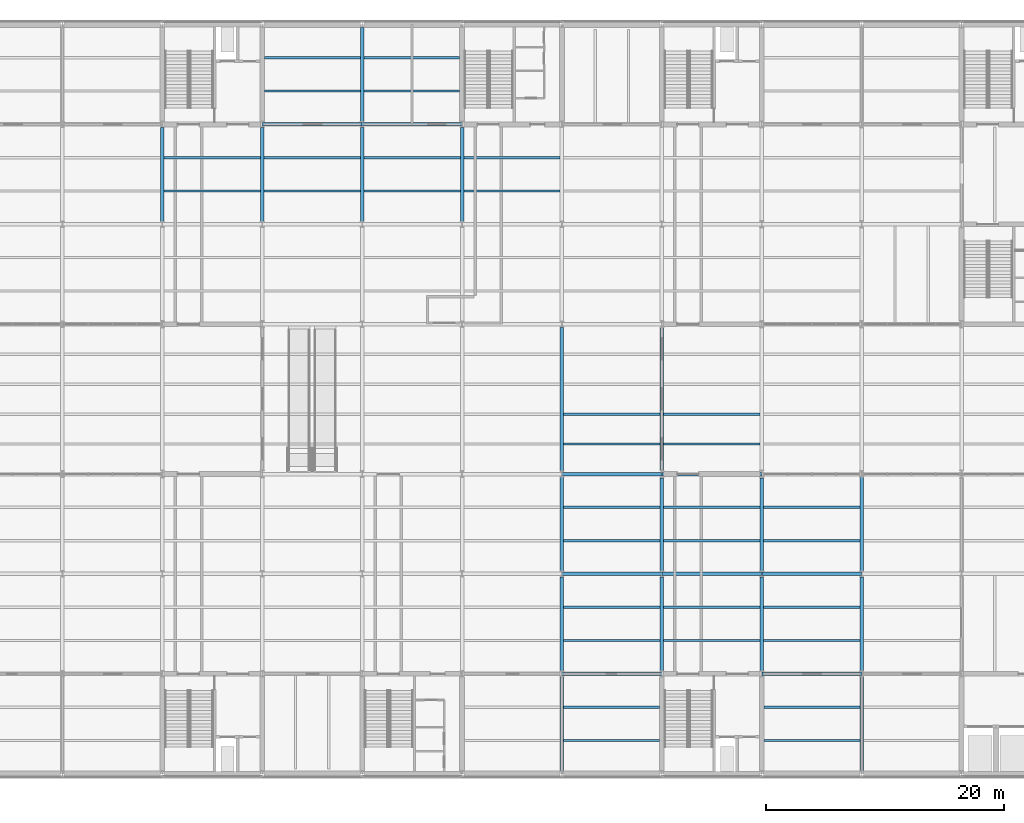
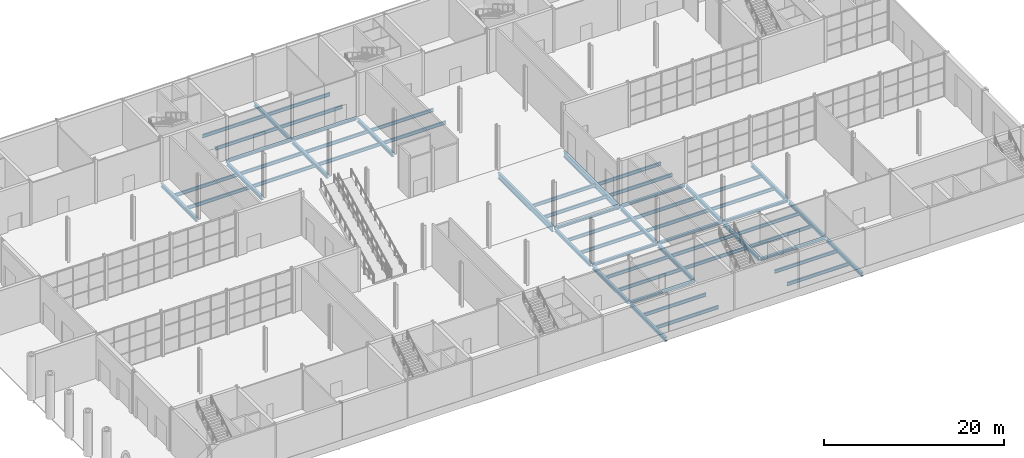
# One storey, part 19 of 55: 58 beams.
"""IFC4 building model written with IfcOpenShell, lengths in metres."""

from ifc_helpers import new_model, si_unit, direction, frame, origin, origin_2d, place, context, subcontext, project, spatial, i_section, extrude, material, material_profile, profile_set, type_object, element, save


model = new_model("IFC4")

# Units and contexts
model_context = context("Model", 3, precision=1e-05, world=origin(), true_north=direction((0.0, 1.0)))
body_context = subcontext(model_context, "Body", "Model", "MODEL_VIEW")
ifc_project = project(units=[si_unit("LENGTHUNIT", "METRE"), si_unit("AREAUNIT", "SQUARE_METRE"), si_unit("VOLUMEUNIT", "CUBIC_METRE"), si_unit("PLANEANGLEUNIT", "RADIAN"), si_unit("MASSUNIT", "GRAM", prefix="KILO")], contexts=[model_context])

# Site, building, storey
site_placement = place(None, origin())
site = spatial("IfcSite", under=ifc_project, at=site_placement, CompositionType="ELEMENT")
building_placement = place(site_placement, origin())
building = spatial("IfcBuilding", under=site, at=building_placement, Name="Galleria Vessillo Department Store", CompositionType="ELEMENT")
storey_placement = place(building_placement, origin())
storey = spatial("IfcBuildingStorey", under=building, at=storey_placement, Name="L00", CompositionType="ELEMENT", Elevation=0.0)

# Beams
ifc_material_1 = material(Name="Steel S355 J2", Category="steel")
ifc_material_profile_1 = material_profile(ifc_material_1, i_section(OverallWidth=0.300048828125, OverallDepth=0.489990234375, WebThickness=0.011962890625, FlangeThickness=0.02294921875, FilletRadius=0.027099609375, at=origin_2d()), Name="HEA 500")
ifc_profile_set_1 = profile_set([ifc_material_profile_1], Name="Steel S355 J2")
beam_type_1 = type_object("IfcBeamType", Name="Floor girder HEA 500", PredefinedType="BEAM", material=ifc_profile_set_1)
for number, where, z_axis, x_axis, name in (
    (1, (33.60009765625, 46.4501953125, -0.39501953125), (0.0, 1.0, 0.0), (-1.0, 0.0, 0.0), "S-BM-L00-GI-y33600-46450"),
    (2, (42.0, 46.4501953125, -0.39501953125), (0.0, 1.0, 0.0), (-1.0, 0.0, 0.0), "S-BM-L00-GI-y42000-46450"),
    (3, (50.39990234375, 46.4501953125, -0.39501953125), (0.0, 1.0, 0.0), (-1.0, 0.0, 0.0), "S-BM-L00-GI-y50400-46450"),
    (4, (50.39990234375, 54.85009765625, -0.39501953125), (0.0, 1.0, 0.0), (-1.0, 0.0, 0.0), "S-BM-L00-GI-y50400-54850"),
    (5, (58.800048828125, 46.4501953125, -0.39501953125), (0.0, 1.0, 0.0), (-1.0, 0.0, 0.0), "S-BM-L00-GI-y58800-46450"),
    (6, (67.199951171875, 0.250244140625, -0.39501953125), (0.0, 1.0, 0.0), (-1.0, 0.0, 0.0), "S-BM-L00-GI-y67200-250"),
    (7, (67.199951171875, 8.650146484375, -0.39501953125), (0.0, 1.0, 0.0), (-1.0, 0.0, 0.0), "S-BM-L00-GI-y67200-8650"),
):
    element("IfcBeam", number, at=place(storey_placement, frame(where, z_axis=z_axis, x_axis=x_axis)), inside=storey, type_object=beam_type_1, Name=name, PredefinedType="BEAM", context=body_context, shape_type="SweptSolid", body=[
        extrude(i_section(OverallWidth=0.300048828125, OverallDepth=0.489990234375, WebThickness=0.011962890625, FlangeThickness=0.02294921875, FilletRadius=0.027099609375, at=origin_2d()), origin(), (0.0, 0.0, 1.0), 7.899658203125),
    ])
beam_1_placement = place(storey_placement, frame((67.199951171875, 17.050048828125, -0.39501953125), z_axis=(0.0, 1.0, 0.0), x_axis=(-1.0, 0.0, 0.0)))
element("IfcBeam", 8, at=beam_1_placement, inside=storey, type_object=beam_type_1, Name="S-BM-L00-GI-y67200-17050", PredefinedType="BEAM", context=body_context, shape_type="SweptSolid", body=[
    extrude(i_section(OverallWidth=0.300048828125, OverallDepth=0.489990234375, WebThickness=0.011962890625, FlangeThickness=0.02294921875, FilletRadius=0.027099609375, at=origin_2d()), origin(), (0.0, 0.0, 1.0), 7.887939453125),
])
beam_2_placement = place(storey_placement, frame((75.60009765625, 8.650146484375, -0.39501953125), z_axis=(0.0, 1.0, 0.0), x_axis=(-1.0, 0.0, 0.0)))
element("IfcBeam", 9, at=beam_2_placement, inside=storey, type_object=beam_type_1, Name="S-BM-L00-GI-y75600-8650", PredefinedType="BEAM", context=body_context, shape_type="SweptSolid", body=[
    extrude(i_section(OverallWidth=0.300048828125, OverallDepth=0.489990234375, WebThickness=0.011962890625, FlangeThickness=0.02294921875, FilletRadius=0.027099609375, at=origin_2d()), origin(), (0.0, 0.0, 1.0), 7.899658203125),
])
beam_3_placement = place(storey_placement, frame((75.60009765625, 17.050048828125, -0.39501953125), z_axis=(0.0, 1.0, 0.0), x_axis=(-1.0, 0.0, 0.0)))
element("IfcBeam", 10, at=beam_3_placement, inside=storey, type_object=beam_type_1, Name="S-BM-L00-GI-y75600-17050", PredefinedType="BEAM", context=body_context, shape_type="SweptSolid", body=[
    extrude(i_section(OverallWidth=0.300048828125, OverallDepth=0.489990234375, WebThickness=0.011962890625, FlangeThickness=0.02294921875, FilletRadius=0.027099609375, at=origin_2d()), origin(), (0.0, 0.0, 1.0), 7.83984375),
])
beam_4_placement = place(storey_placement, frame((84.0, 8.650146484375, -0.39501953125), z_axis=(0.0, 1.0, 0.0), x_axis=(-1.0, 0.0, 0.0)))
element("IfcBeam", 11, at=beam_4_placement, inside=storey, type_object=beam_type_1, Name="S-BM-L00-GI-y84000-8650", PredefinedType="BEAM", context=body_context, shape_type="SweptSolid", body=[
    extrude(i_section(OverallWidth=0.300048828125, OverallDepth=0.489990234375, WebThickness=0.011962890625, FlangeThickness=0.02294921875, FilletRadius=0.027099609375, at=origin_2d()), origin(), (0.0, 0.0, 1.0), 7.899658203125),
])
beam_5_placement = place(storey_placement, frame((84.0, 17.050048828125, -0.39501953125), z_axis=(0.0, 1.0, 0.0), x_axis=(-1.0, 0.0, 0.0)))
element("IfcBeam", 12, at=beam_5_placement, inside=storey, type_object=beam_type_1, Name="S-BM-L00-GI-y84000-17050", PredefinedType="BEAM", context=body_context, shape_type="SweptSolid", body=[
    extrude(i_section(OverallWidth=0.300048828125, OverallDepth=0.489990234375, WebThickness=0.011962890625, FlangeThickness=0.02294921875, FilletRadius=0.027099609375, at=origin_2d()), origin(), (0.0, 0.0, 1.0), 7.83984375),
])
for number, where, z_axis, x_axis, name in (
    (13, (92.39990234375, 0.250244140625, -0.39501953125), (0.0, 1.0, 0.0), (-1.0, 0.0, 0.0), "S-BM-L00-GI-y92400-250"),
    (14, (92.39990234375, 8.650146484375, -0.39501953125), (0.0, 1.0, 0.0), (-1.0, 0.0, 0.0), "S-BM-L00-GI-y92400-8650"),
):
    element("IfcBeam", number, at=place(storey_placement, frame(where, z_axis=z_axis, x_axis=x_axis)), inside=storey, type_object=beam_type_1, Name=name, PredefinedType="BEAM", context=body_context, shape_type="SweptSolid", body=[
        extrude(i_section(OverallWidth=0.300048828125, OverallDepth=0.489990234375, WebThickness=0.011962890625, FlangeThickness=0.02294921875, FilletRadius=0.027099609375, at=origin_2d()), origin(), (0.0, 0.0, 1.0), 7.899658203125),
    ])
beam_6_placement = place(storey_placement, frame((92.39990234375, 17.050048828125, -0.39501953125), z_axis=(0.0, 1.0, 0.0), x_axis=(-1.0, 0.0, 0.0)))
element("IfcBeam", 15, at=beam_6_placement, inside=storey, type_object=beam_type_1, Name="S-BM-L00-GI-y92400-17050", PredefinedType="BEAM", context=body_context, shape_type="SweptSolid", body=[
    extrude(i_section(OverallWidth=0.300048828125, OverallDepth=0.489990234375, WebThickness=0.011962890625, FlangeThickness=0.02294921875, FilletRadius=0.027099609375, at=origin_2d()), origin(), (0.0, 0.0, 1.0), 7.887939453125),
])
ifc_material_2 = material(Name="Steel S355 J2", Category="steel")
ifc_material_profile_2 = material_profile(ifc_material_2, i_section(OverallWidth=0.300048828125, OverallDepth=0.7900390625, WebThickness=0.014892578125, FlangeThickness=0.028076171875, FilletRadius=0.030029296875, at=origin_2d()), Name="HEA 800")
ifc_profile_set_2 = profile_set([ifc_material_profile_2], Name="Steel S355 J2")
beam_type_2 = type_object("IfcBeamType", Name="Floor girder HEA 800", PredefinedType="BEAM", material=ifc_profile_set_2)
beam_7_placement = place(storey_placement, frame((67.199951171875, 25.462158203125, -0.64501953125), z_axis=(0.0, 1.0, 0.0), x_axis=(-1.0, 0.0, 0.0)))
element("IfcBeam", 16, at=beam_7_placement, inside=storey, type_object=beam_type_2, Name="S-BM-L00-GI-y67200-25462", PredefinedType="BEAM", context=body_context, shape_type="SweptSolid", body=[
    extrude(i_section(OverallWidth=0.300048828125, OverallDepth=0.7900390625, WebThickness=0.014892578125, FlangeThickness=0.028076171875, FilletRadius=0.030029296875, at=origin_2d()), origin(), (0.0, 0.0, 1.0), 12.07568359375),
])
beam_8_placement = place(storey_placement, frame((75.60009765625, 25.51025390625, -0.64501953125), z_axis=(0.0, 1.0, 0.0), x_axis=(-1.0, 0.0, 0.0)))
element("IfcBeam", 17, at=beam_8_placement, inside=storey, type_object=beam_type_2, Name="S-BM-L00-GI-y75600-25510", PredefinedType="BEAM", context=body_context, shape_type="SweptSolid", body=[
    extrude(i_section(OverallWidth=0.300048828125, OverallDepth=0.7900390625, WebThickness=0.014892578125, FlangeThickness=0.028076171875, FilletRadius=0.030029296875, at=origin_2d()), origin(), (0.0, 0.0, 1.0), 11.9794921875),
])
ifc_material_3 = material(Name="Steel S355 J2", Category="steel")
ifc_material_profile_3 = material_profile(ifc_material_3, i_section(OverallWidth=0.18994140625, OverallDepth=0.449951171875, WebThickness=0.009521484375, FlangeThickness=0.0146484375, FilletRadius=0.02099609375, at=origin_2d()), Name="IPE 450")
ifc_profile_set_3 = profile_set([ifc_material_profile_3], Name="Steel S355 J2")
beam_type_3 = type_object("IfcBeamType", Name="Floor joist IPE 450", PredefinedType="JOIST", material=ifc_profile_set_3)
for number, where, z_axis, x_axis, name in (
    (18, (33.750244140625, 49.0, -0.375), (1.0, 0.0, 0.0), (0.0, 1.0, 0.0), "S-BM-L00-JO-x49000-33750"),
    (19, (33.750244140625, 51.800048828125, -0.375), (1.0, 0.0, 0.0), (0.0, 1.0, 0.0), "S-BM-L00-JO-x51800-33750"),
    (20, (42.150146484375, 49.0, -0.375), (1.0, 0.0, 0.0), (0.0, 1.0, 0.0), "S-BM-L00-JO-x49000-42150"),
    (21, (42.150146484375, 51.800048828125, -0.375), (1.0, 0.0, 0.0), (0.0, 1.0, 0.0), "S-BM-L00-JO-x51800-42150"),
):
    element("IfcBeam", number, at=place(storey_placement, frame(where, z_axis=z_axis, x_axis=x_axis)), inside=storey, type_object=beam_type_3, Name=name, PredefinedType="JOIST", context=body_context, shape_type="SweptSolid", body=[
        extrude(i_section(OverallWidth=0.18994140625, OverallDepth=0.449951171875, WebThickness=0.009521484375, FlangeThickness=0.0146484375, FilletRadius=0.02099609375, at=origin_2d()), origin(), (0.0, 0.0, 1.0), 8.099609375),
    ])
for number, where, z_axis, x_axis, name in (
    (22, (42.2001953125, 57.39990234375, -0.375), (1.0, 0.0, 0.0), (0.0, 1.0, 0.0), "S-BM-L00-JO-x57400-42200"),
    (23, (42.2001953125, 60.199951171875, -0.375), (1.0, 0.0, 0.0), (0.0, 1.0, 0.0), "S-BM-L00-JO-x60200-42200"),
):
    element("IfcBeam", number, at=place(storey_placement, frame(where, z_axis=z_axis, x_axis=x_axis)), inside=storey, type_object=beam_type_3, Name=name, PredefinedType="JOIST", context=body_context, shape_type="SweptSolid", body=[
        extrude(i_section(OverallWidth=0.18994140625, OverallDepth=0.449951171875, WebThickness=0.009521484375, FlangeThickness=0.0146484375, FilletRadius=0.02099609375, at=origin_2d()), origin(), (0.0, 0.0, 1.0), 8.049560546875),
    ])
for number, where, z_axis, x_axis, name in (
    (24, (50.550048828125, 49.0, -0.375), (1.0, 0.0, 0.0), (0.0, 1.0, 0.0), "S-BM-L00-JO-x49000-50550"),
    (25, (50.550048828125, 51.800048828125, -0.375), (1.0, 0.0, 0.0), (0.0, 1.0, 0.0), "S-BM-L00-JO-x51800-50550"),
):
    element("IfcBeam", number, at=place(storey_placement, frame(where, z_axis=z_axis, x_axis=x_axis)), inside=storey, type_object=beam_type_3, Name=name, PredefinedType="JOIST", context=body_context, shape_type="SweptSolid", body=[
        extrude(i_section(OverallWidth=0.18994140625, OverallDepth=0.449951171875, WebThickness=0.009521484375, FlangeThickness=0.0146484375, FilletRadius=0.02099609375, at=origin_2d()), origin(), (0.0, 0.0, 1.0), 8.099853515625),
    ])
for number, where, z_axis, x_axis, name in (
    (26, (50.550048828125, 57.39990234375, -0.375), (1.0, 0.0, 0.0), (0.0, 1.0, 0.0), "S-BM-L00-JO-x57400-50550"),
    (27, (50.550048828125, 60.199951171875, -0.375), (1.0, 0.0, 0.0), (0.0, 1.0, 0.0), "S-BM-L00-JO-x60200-50550"),
):
    element("IfcBeam", number, at=place(storey_placement, frame(where, z_axis=z_axis, x_axis=x_axis)), inside=storey, type_object=beam_type_3, Name=name, PredefinedType="JOIST", context=body_context, shape_type="SweptSolid", body=[
        extrude(i_section(OverallWidth=0.18994140625, OverallDepth=0.449951171875, WebThickness=0.009521484375, FlangeThickness=0.0146484375, FilletRadius=0.02099609375, at=origin_2d()), origin(), (0.0, 0.0, 1.0), 8.0498046875),
    ])
for number, where, z_axis, x_axis, name in (
    (28, (58.9501953125, 49.0, -0.375), (1.0, 0.0, 0.0), (0.0, 1.0, 0.0), "S-BM-L00-JO-x49000-58950"),
    (29, (58.9501953125, 51.800048828125, -0.375), (1.0, 0.0, 0.0), (0.0, 1.0, 0.0), "S-BM-L00-JO-x51800-58950"),
):
    element("IfcBeam", number, at=place(storey_placement, frame(where, z_axis=z_axis, x_axis=x_axis)), inside=storey, type_object=beam_type_3, Name=name, PredefinedType="JOIST", context=body_context, shape_type="SweptSolid", body=[
        extrude(i_section(OverallWidth=0.18994140625, OverallDepth=0.449951171875, WebThickness=0.009521484375, FlangeThickness=0.0146484375, FilletRadius=0.02099609375, at=origin_2d()), origin(), (0.0, 0.0, 1.0), 8.099609375),
    ])
for number, where, z_axis, x_axis, name in (
    (30, (67.35009765625, 2.800048828125, -0.375), (1.0, 0.0, 0.0), (0.0, 1.0, 0.0), "S-BM-L00-JO-x2800-67350"),
    (31, (67.35009765625, 5.60009765625, -0.375), (1.0, 0.0, 0.0), (0.0, 1.0, 0.0), "S-BM-L00-JO-x5600-67350"),
):
    element("IfcBeam", number, at=place(storey_placement, frame(where, z_axis=z_axis, x_axis=x_axis)), inside=storey, type_object=beam_type_3, Name=name, PredefinedType="JOIST", context=body_context, shape_type="SweptSolid", body=[
        extrude(i_section(OverallWidth=0.18994140625, OverallDepth=0.449951171875, WebThickness=0.009521484375, FlangeThickness=0.0146484375, FilletRadius=0.02099609375, at=origin_2d()), origin(), (0.0, 0.0, 1.0), 8.0498046875),
    ])
for number, where, z_axis, x_axis, name in (
    (32, (67.35009765625, 11.199951171875, -0.375), (1.0, 0.0, 0.0), (0.0, 1.0, 0.0), "S-BM-L00-JO-x11200-67350"),
    (33, (67.35009765625, 14.0, -0.375), (1.0, 0.0, 0.0), (0.0, 1.0, 0.0), "S-BM-L00-JO-x14000-67350"),
    (34, (67.35009765625, 19.60009765625, -0.375), (1.0, 0.0, 0.0), (0.0, 1.0, 0.0), "S-BM-L00-JO-x19600-67350"),
    (35, (67.35009765625, 22.39990234375, -0.375), (1.0, 0.0, 0.0), (0.0, 1.0, 0.0), "S-BM-L00-JO-x22400-67350"),
    (36, (67.35009765625, 27.719970703125, -0.47509765625), (1.0, 0.0, 0.0), (0.0, 1.0, 0.0), "S-BM-L00-JO-x27720-67350"),
    (37, (67.35009765625, 30.239990234375, -0.47509765625), (1.0, 0.0, 0.0), (0.0, 1.0, 0.0), "S-BM-L00-JO-x30240-67350"),
):
    element("IfcBeam", number, at=place(storey_placement, frame(where, z_axis=z_axis, x_axis=x_axis)), inside=storey, type_object=beam_type_3, Name=name, PredefinedType="JOIST", context=body_context, shape_type="SweptSolid", body=[
        extrude(i_section(OverallWidth=0.18994140625, OverallDepth=0.449951171875, WebThickness=0.009521484375, FlangeThickness=0.0146484375, FilletRadius=0.02099609375, at=origin_2d()), origin(), (0.0, 0.0, 1.0), 8.099853515625),
    ])
for number, where, z_axis, x_axis, name in (
    (38, (75.750244140625, 11.199951171875, -0.375), (1.0, 0.0, 0.0), (0.0, 1.0, 0.0), "S-BM-L00-JO-x11200-75750"),
    (39, (75.750244140625, 14.0, -0.375), (1.0, 0.0, 0.0), (0.0, 1.0, 0.0), "S-BM-L00-JO-x14000-75750"),
    (40, (75.750244140625, 19.60009765625, -0.375), (1.0, 0.0, 0.0), (0.0, 1.0, 0.0), "S-BM-L00-JO-x19600-75750"),
    (41, (75.750244140625, 22.39990234375, -0.375), (1.0, 0.0, 0.0), (0.0, 1.0, 0.0), "S-BM-L00-JO-x22400-75750"),
    (42, (75.750244140625, 27.719970703125, -0.47509765625), (1.0, 0.0, 0.0), (0.0, 1.0, 0.0), "S-BM-L00-JO-x27720-75750"),
    (43, (75.750244140625, 30.239990234375, -0.47509765625), (1.0, 0.0, 0.0), (0.0, 1.0, 0.0), "S-BM-L00-JO-x30240-75750"),
):
    element("IfcBeam", number, at=place(storey_placement, frame(where, z_axis=z_axis, x_axis=x_axis)), inside=storey, type_object=beam_type_3, Name=name, PredefinedType="JOIST", context=body_context, shape_type="SweptSolid", body=[
        extrude(i_section(OverallWidth=0.18994140625, OverallDepth=0.449951171875, WebThickness=0.009521484375, FlangeThickness=0.0146484375, FilletRadius=0.02099609375, at=origin_2d()), origin(), (0.0, 0.0, 1.0), 8.099609375),
    ])
for number, where, z_axis, x_axis, name in (
    (44, (84.2001953125, 2.800048828125, -0.375), (1.0, 0.0, 0.0), (0.0, 1.0, 0.0), "S-BM-L00-JO-x2800-84200"),
    (45, (84.2001953125, 5.60009765625, -0.375), (1.0, 0.0, 0.0), (0.0, 1.0, 0.0), "S-BM-L00-JO-x5600-84200"),
):
    element("IfcBeam", number, at=place(storey_placement, frame(where, z_axis=z_axis, x_axis=x_axis)), inside=storey, type_object=beam_type_3, Name=name, PredefinedType="JOIST", context=body_context, shape_type="SweptSolid", body=[
        extrude(i_section(OverallWidth=0.18994140625, OverallDepth=0.449951171875, WebThickness=0.009521484375, FlangeThickness=0.0146484375, FilletRadius=0.02099609375, at=origin_2d()), origin(), (0.0, 0.0, 1.0), 8.049560546875),
    ])
for number, where, z_axis, x_axis, name in (
    (46, (84.150146484375, 11.199951171875, -0.375), (1.0, 0.0, 0.0), (0.0, 1.0, 0.0), "S-BM-L00-JO-x11200-84150"),
    (47, (84.150146484375, 14.0, -0.375), (1.0, 0.0, 0.0), (0.0, 1.0, 0.0), "S-BM-L00-JO-x14000-84150"),
    (48, (84.150146484375, 19.60009765625, -0.375), (1.0, 0.0, 0.0), (0.0, 1.0, 0.0), "S-BM-L00-JO-x19600-84150"),
    (49, (84.150146484375, 22.39990234375, -0.375), (1.0, 0.0, 0.0), (0.0, 1.0, 0.0), "S-BM-L00-JO-x22400-84150"),
):
    element("IfcBeam", number, at=place(storey_placement, frame(where, z_axis=z_axis, x_axis=x_axis)), inside=storey, type_object=beam_type_3, Name=name, PredefinedType="JOIST", context=body_context, shape_type="SweptSolid", body=[
        extrude(i_section(OverallWidth=0.18994140625, OverallDepth=0.449951171875, WebThickness=0.009521484375, FlangeThickness=0.0146484375, FilletRadius=0.02099609375, at=origin_2d()), origin(), (0.0, 0.0, 1.0), 8.099609375),
    ])
ifc_material_4 = material(Name="Steel S355 J2", Category="steel")
ifc_material_profile_4 = material_profile(ifc_material_4, i_section(OverallWidth=0.300048828125, OverallDepth=0.35009765625, WebThickness=0.010009765625, FlangeThickness=0.017578125, FilletRadius=0.027099609375, at=origin_2d()), Name="HEA 360")
ifc_profile_set_4 = profile_set([ifc_material_profile_4], Name="Steel S355 J2")
beam_type_4 = type_object("IfcBeamType", Name="Floor tie girder HEA 360", PredefinedType="BEAM", material=ifc_profile_set_4)
for number, where, z_axis, x_axis, name in (
    (50, (67.207275390625, 8.39990234375, -0.324951171875), (1.0, 0.0, 0.0), (0.0, 1.0, 0.0), "S-BM-L00-TI-x8400-67207"),
    (51, (84.00732421875, 8.39990234375, -0.324951171875), (1.0, 0.0, 0.0), (0.0, 1.0, 0.0), "S-BM-L00-TI-x8400-84007"),
    (52, (67.207275390625, 16.800048828125, -0.324951171875), (1.0, 0.0, 0.0), (0.0, 1.0, 0.0), "S-BM-L00-TI-x16800-67207"),
    (53, (75.607421875, 16.800048828125, -0.324951171875), (1.0, 0.0, 0.0), (0.0, 1.0, 0.0), "S-BM-L00-TI-x16800-75607"),
    (54, (84.00732421875, 16.800048828125, -0.324951171875), (1.0, 0.0, 0.0), (0.0, 1.0, 0.0), "S-BM-L00-TI-x16800-84007"),
):
    element("IfcBeam", number, at=place(storey_placement, frame(where, z_axis=z_axis, x_axis=x_axis)), inside=storey, type_object=beam_type_4, Name=name, PredefinedType="BEAM", context=body_context, shape_type="SweptSolid", body=[
        extrude(i_section(OverallWidth=0.300048828125, OverallDepth=0.35009765625, WebThickness=0.010009765625, FlangeThickness=0.017578125, FilletRadius=0.027099609375, at=origin_2d()), origin(), (0.0, 0.0, 1.0), 8.38525390625),
    ])
for number, where, z_axis, x_axis, name in (
    (55, (67.210693359375, 25.199951171875, -0.425048828125), (1.0, 0.0, 0.0), (0.0, 1.0, 0.0), "S-BM-L00-TI-x25200-67211"),
    (56, (75.610595703125, 25.199951171875, -0.425048828125), (1.0, 0.0, 0.0), (0.0, 1.0, 0.0), "S-BM-L00-TI-x25200-75611"),
):
    element("IfcBeam", number, at=place(storey_placement, frame(where, z_axis=z_axis, x_axis=x_axis)), inside=storey, type_object=beam_type_4, Name=name, PredefinedType="BEAM", context=body_context, shape_type="SweptSolid", body=[
        extrude(i_section(OverallWidth=0.300048828125, OverallDepth=0.35009765625, WebThickness=0.010009765625, FlangeThickness=0.017578125, FilletRadius=0.027099609375, at=origin_2d()), origin(), (0.0, 0.0, 1.0), 8.378662109375),
    ])
for number, where, z_axis, x_axis, name in (
    (57, (42.00732421875, 54.60009765625, -0.324951171875), (1.0, 0.0, 0.0), (0.0, 1.0, 0.0), "S-BM-L00-TI-x54600-42007"),
    (58, (50.407470703125, 54.60009765625, -0.324951171875), (1.0, 0.0, 0.0), (0.0, 1.0, 0.0), "S-BM-L00-TI-x54600-50407"),
):
    element("IfcBeam", number, at=place(storey_placement, frame(where, z_axis=z_axis, x_axis=x_axis)), inside=storey, type_object=beam_type_4, Name=name, PredefinedType="BEAM", context=body_context, shape_type="SweptSolid", body=[
        extrude(i_section(OverallWidth=0.300048828125, OverallDepth=0.35009765625, WebThickness=0.010009765625, FlangeThickness=0.017578125, FilletRadius=0.027099609375, at=origin_2d()), origin(), (0.0, 0.0, 1.0), 8.38525390625),
    ])

save(model, "model.ifc")
